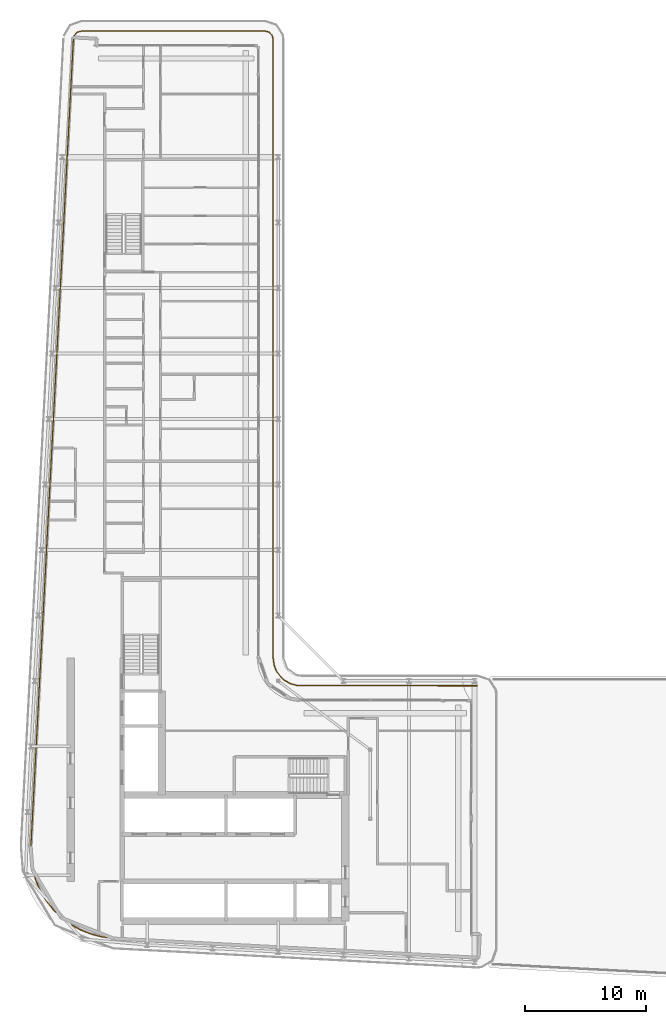
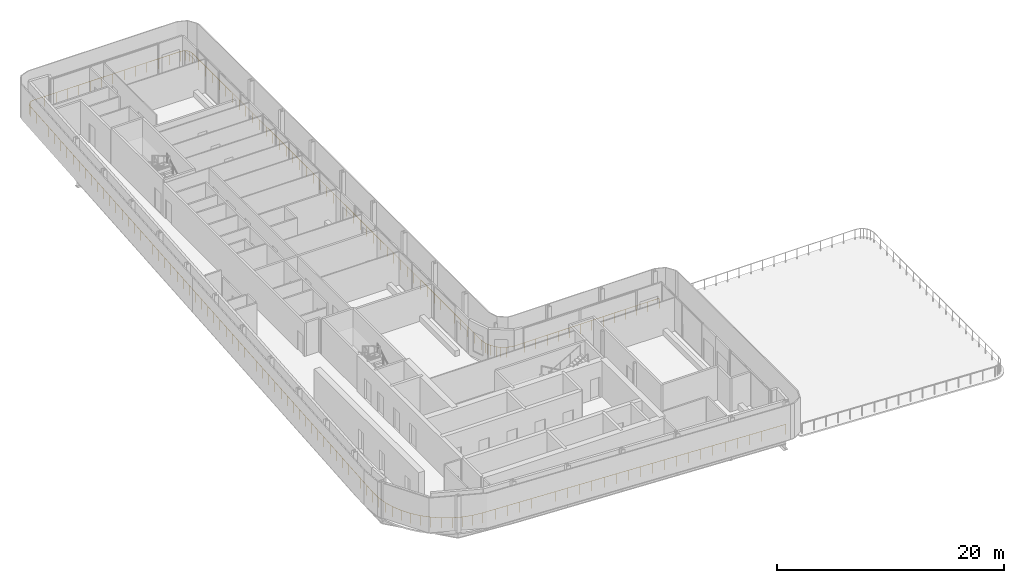
# One storey, part 19 of 22: 1 railing.
"""IFC4 building model written with IfcOpenShell, lengths in metres."""

from ifc_helpers import new_model, si_unit, direction, frame, origin, origin_2d, place, context, subcontext, project, spatial, circle, extrude, material, type_object, element, save


model = new_model("IFC4")

# Units and contexts
model_context = context("Model", 3, precision=1e-05, world=origin(), true_north=direction((0.0, 1.0)))
body_context = subcontext(model_context, "Body", "Model", "MODEL_VIEW")
ifc_project = project(units=[si_unit("LENGTHUNIT", "METRE"), si_unit("AREAUNIT", "SQUARE_METRE"), si_unit("VOLUMEUNIT", "CUBIC_METRE"), si_unit("PLANEANGLEUNIT", "RADIAN"), si_unit("MASSUNIT", "GRAM", prefix="KILO")], contexts=[model_context])

# Site, building, storey
site_placement = place(None, origin())
site = spatial("IfcSite", under=ifc_project, at=site_placement, CompositionType="ELEMENT")
building_placement = place(site_placement, origin())
building = spatial("IfcBuilding", under=site, at=building_placement, Name="Kheshtan School and Residences Tower", CompositionType="ELEMENT")
storey_placement = place(building_placement, frame((0.0, 0.0, 274.699951171875)))
storey = spatial("IfcBuildingStorey", under=building, at=storey_placement, Name="L64", CompositionType="ELEMENT", Elevation=274.699951171875)

# Railing
ifc_material = material(Name="Stainless steel balustrade", Category="steel")
railing_type = type_object("IfcRailingType", Name="Loggia guard 1100", PredefinedType="GUARDRAIL", material=ifc_material)
railing_placement = place(storey_placement, frame((63.986083984375, 22.802001953125, 0.0)))
element("IfcRailing", 1, at=railing_placement, inside=storey, type_object=railing_type, Name="Guard L64 1", PredefinedType="GUARDRAIL", context=body_context, shape_type="SweptSolid", body=[
    extrude(circle(Radius=0.02392578125, at=origin_2d()), frame((0.0, 0.0, 1.076171875), z_axis=(-0.998616591406, 0.052582348458, 0.0), x_axis=(-0.052582348458, -0.998616591406, 0.0)), (0.0, 0.0, 1.0), 29.970703125),
    extrude(circle(Radius=0.02392578125, at=origin_2d()), frame((-29.92919921875, 1.575927734375, 1.076171875), z_axis=(-0.993152326572, 0.116826607521, 0.0), x_axis=(-0.116826607521, -0.993152326572, 0.0)), (0.0, 0.0, 1.0), 0.967529296875),
    extrude(circle(Radius=0.02392578125, at=origin_2d()), frame((-30.89013671875, 1.68896484375, 1.076171875), z_axis=(-0.969142269941, 0.246502049918, 0.0), x_axis=(-0.246502049918, -0.969142269941, 0.0)), (0.0, 0.0, 1.0), 0.94091796875),
    extrude(circle(Radius=0.02392578125, at=origin_2d()), frame((-31.802001953125, 1.9208984375, 1.076171875), z_axis=(-0.928440955332, 0.371480002775, 0.0), x_axis=(-0.371480002775, -0.928440955332, 0.0)), (0.0, 0.0, 1.0), 0.9423828125),
    extrude(circle(Radius=0.02392578125, at=origin_2d()), frame((-32.677001953125, 2.27099609375, 1.076171875), z_axis=(-0.872673913379, 0.488303431187, 0.0), x_axis=(-0.488303431187, -0.872673913379, 0.0)), (0.0, 0.0, 1.0), 0.94189453125),
    extrude(circle(Radius=0.02392578125, at=origin_2d()), frame((-33.4990234375, 2.73095703125, 1.076171875), z_axis=(-0.801336596607, 0.598213723462, 0.0), x_axis=(-0.598213723462, -0.801336596607, 0.0)), (0.0, 0.0, 1.0), 0.941162109375),
    extrude(circle(Radius=0.02392578125, at=origin_2d()), frame((-34.253173828125, 3.2939453125, 1.076171875), z_axis=(-0.71600013962, 0.69810013613, 0.0), x_axis=(-0.69810013613, -0.71600013962, 0.0)), (0.0, 0.0, 1.0), 0.941162109375),
    extrude(circle(Radius=0.02392578125, at=origin_2d()), frame((-34.927001953125, 3.950927734375, 1.076171875), z_axis=(-0.618862535768, 0.785499307334, 0.0), x_axis=(-0.785499307334, -0.618862535768, 0.0)), (0.0, 0.0, 1.0), 0.942138671875),
    extrude(circle(Radius=0.02392578125, at=origin_2d()), frame((-35.510009765625, 4.69091796875, 1.076171875), z_axis=(-0.510214927824, 0.860046933269, 0.0), x_axis=(-0.860046933269, -0.510214927824, 0.0)), (0.0, 0.0, 1.0), 0.940673828125),
    extrude(circle(Radius=0.02392578125, at=origin_2d()), frame((-35.989990234375, 5.5, 1.076171875), z_axis=(-0.394763216191, 0.918782892278, 0.0), x_axis=(-0.918782892278, -0.394763216191, 0.0)), (0.0, 0.0, 1.0), 0.942626953125),
    extrude(circle(Radius=0.02392578125, at=origin_2d()), frame((-36.362060546875, 6.365966796875, 1.076171875), z_axis=(-0.272014427065, 0.962293173346, 0.0), x_axis=(-0.962293173346, -0.272014427065, 0.0)), (0.0, 0.0, 1.0), 0.94140625),
    extrude(circle(Radius=0.02392578125, at=origin_2d()), frame((-36.6181640625, 7.27197265625, 1.076171875), z_axis=(-0.143344445165, 0.989672860111, 0.0), x_axis=(-0.989672860111, -0.143344445165, 0.0)), (0.0, 0.0, 1.0), 0.94189453125),
    extrude(circle(Radius=0.02392578125, at=origin_2d()), frame((-36.753173828125, 8.2041015625, 1.076171875), z_axis=(-0.013382639841, 0.999910448466, 0.0), x_axis=(-0.999910448466, -0.013382639841, 0.0)), (0.0, 0.0, 1.0), 0.966796875),
    extrude(circle(Radius=0.02392578125, at=origin_2d()), frame((-36.76611328125, 9.1708984375, 1.076171875), z_axis=(0.052559602407, 0.998617788844, 0.0), x_axis=(-0.998617788844, 0.052559602407, 0.0)), (0.0, 0.0, 1.0), 66.628173828125),
    extrude(circle(Radius=0.02392578125, at=origin_2d()), frame((-33.26416015625, 75.70703125, 1.076171875), z_axis=(0.248188744775, 0.968711694451, 0.0), x_axis=(-0.968711694451, 0.248188744775, 0.0)), (0.0, 0.0, 1.0), 0.314697265625),
    extrude(circle(Radius=0.02392578125, at=origin_2d()), frame((-33.18603515625, 76.011962890625, 1.076171875), z_axis=(0.67452876676, 0.738248564383, 0.0), x_axis=(-0.738248564383, 0.67452876676, 0.0)), (0.0, 0.0, 1.0), 0.37939453125),
    extrude(circle(Radius=0.02392578125, at=origin_2d()), frame((-32.93017578125, 76.2919921875, 1.076171875), z_axis=(0.965696588832, 0.259673060442, 0.0), x_axis=(-0.259673060442, 0.965696588832, 0.0)), (0.0, 0.0, 1.0), 0.407958984375),
    extrude(circle(Radius=0.02392578125, at=origin_2d()), frame((-32.5361328125, 76.39794921875, 1.076171875), z_axis=(1.0, 0.0, 0.0), x_axis=(0.0, 1.0, 0.0)), (0.0, 0.0, 1.0), 15.02294921875),
    extrude(circle(Radius=0.02392578125, at=origin_2d()), frame((-17.51318359375, 76.39794921875, 1.076171875), z_axis=(0.969584789188, -0.244755667095, 0.0), x_axis=(0.244755667095, 0.969584789188, 0.0)), (0.0, 0.0, 1.0), 0.387939453125),
    extrude(circle(Radius=0.02392578125, at=origin_2d()), frame((-17.136962890625, 76.302978515625, 1.076171875), z_axis=(0.707106781187, -0.707106781187, 0.0), x_axis=(0.707106781187, 0.707106781187, 0.0)), (0.0, 0.0, 1.0), 0.36181640625),
    extrude(circle(Radius=0.02392578125, at=origin_2d()), frame((-16.881103515625, 76.047119140625, 1.076171875), z_axis=(0.244755667095, -0.969584789188, 0.0), x_axis=(0.969584789188, 0.244755667095, 0.0)), (0.0, 0.0, 1.0), 0.387939453125),
    extrude(circle(Radius=0.02392578125, at=origin_2d()), frame((-16.7861328125, 75.6708984375, 1.076171875), z_axis=(0.0, -1.0, 0.0), x_axis=(1.0, 0.0, 0.0)), (0.0, 0.0, 1.0), 51.0),
    extrude(circle(Radius=0.02392578125, at=origin_2d()), frame((-16.7861328125, 24.6708984375, 1.076171875), z_axis=(0.132526573418, -0.991179452641, 0.0), x_axis=(0.991179452641, 0.132526573418, 0.0)), (0.0, 0.0, 1.0), 0.572998046875),
    extrude(circle(Radius=0.02392578125, at=origin_2d()), frame((-16.710205078125, 24.10302734375, 1.076171875), z_axis=(0.321555091305, -0.946890871883, 0.0), x_axis=(0.946890871883, 0.321555091305, 0.0)), (0.0, 0.0, 1.0), 0.30224609375),
    extrude(circle(Radius=0.02392578125, at=origin_2d()), frame((-16.613037109375, 23.81689453125, 1.076171875), z_axis=(0.444942866455, -0.895558957072, 0.0), x_axis=(0.895558957072, 0.444942866455, 0.0)), (0.0, 0.0, 1.0), 0.30126953125),
    extrude(circle(Radius=0.02392578125, at=origin_2d()), frame((-16.47900390625, 23.547119140625, 1.076171875), z_axis=(0.607646215611, -0.794207829635, 0.0), x_axis=(0.794207829635, 0.607646215611, 0.0)), (0.0, 0.0, 1.0), 0.6005859375),
    extrude(circle(Radius=0.02392578125, at=origin_2d()), frame((-16.114013671875, 23.070068359375, 1.076171875), z_axis=(0.753475519903, -0.657475962228, 0.0), x_axis=(0.657475962228, 0.753475519903, 0.0)), (0.0, 0.0, 1.0), 0.302734375),
    extrude(circle(Radius=0.02392578125, at=origin_2d()), frame((-15.885986328125, 22.87109375, 1.076171875), z_axis=(0.865649320413, -0.500650830488, 0.0), x_axis=(0.500650830488, 0.865649320413, 0.0)), (0.0, 0.0, 1.0), 0.599365234375),
    extrude(circle(Radius=0.02392578125, at=origin_2d()), frame((-15.3671875, 22.571044921875, 1.076171875), z_axis=(0.966093072259, -0.258194066029, 0.0), x_axis=(0.258194066029, 0.966093072259, 0.0)), (0.0, 0.0, 1.0), 0.600341796875),
    extrude(circle(Radius=0.02392578125, at=origin_2d()), frame((-14.787109375, 22.416015625, 1.076171875), z_axis=(0.999999257351, -0.001218727994, 0.0), x_axis=(0.001218727994, 0.999999257351, 0.0)), (0.0, 0.0, 1.0), 14.823974609375),
    extrude(circle(Radius=0.02099609375, at=origin_2d()), origin(), (0.0, 0.0, 1.0), 1.052001953125),
    extrude(circle(Radius=0.02099609375, at=origin_2d()), frame((-1.197265625, 0.06298828125, 0.0)), (0.0, 0.0, 1.0), 1.052001953125),
    extrude(circle(Radius=0.02099609375, at=origin_2d()), frame((-2.394287109375, 0.1259765625, 0.0)), (0.0, 0.0, 1.0), 1.052001953125),
    extrude(circle(Radius=0.02099609375, at=origin_2d()), frame((-3.591552734375, 0.189208984375, 0.0)), (0.0, 0.0, 1.0), 1.052001953125),
    extrude(circle(Radius=0.02099609375, at=origin_2d()), frame((-4.78857421875, 0.252197265625, 0.0)), (0.0, 0.0, 1.0), 1.052001953125),
    extrude(circle(Radius=0.02099609375, at=origin_2d()), frame((-5.98583984375, 0.315185546875, 0.0)), (0.0, 0.0, 1.0), 1.052001953125),
    extrude(circle(Radius=0.02099609375, at=origin_2d()), frame((-7.18310546875, 0.378173828125, 0.0)), (0.0, 0.0, 1.0), 1.052001953125),
    extrude(circle(Radius=0.02099609375, at=origin_2d()), frame((-8.380126953125, 0.441162109375, 0.0)), (0.0, 0.0, 1.0), 1.052001953125),
    extrude(circle(Radius=0.02099609375, at=origin_2d()), frame((-9.577392578125, 0.50439453125, 0.0)), (0.0, 0.0, 1.0), 1.052001953125),
    extrude(circle(Radius=0.02099609375, at=origin_2d()), frame((-10.7744140625, 0.5673828125, 0.0)), (0.0, 0.0, 1.0), 1.052001953125),
    extrude(circle(Radius=0.02099609375, at=origin_2d()), frame((-11.9716796875, 0.63037109375, 0.0)), (0.0, 0.0, 1.0), 1.052001953125),
    extrude(circle(Radius=0.02099609375, at=origin_2d()), frame((-13.1689453125, 0.693359375, 0.0)), (0.0, 0.0, 1.0), 1.052001953125),
    extrude(circle(Radius=0.02099609375, at=origin_2d()), frame((-14.365966796875, 0.75634765625, 0.0)), (0.0, 0.0, 1.0), 1.052001953125),
    extrude(circle(Radius=0.02099609375, at=origin_2d()), frame((-15.563232421875, 0.819580078125, 0.0)), (0.0, 0.0, 1.0), 1.052001953125),
    extrude(circle(Radius=0.02099609375, at=origin_2d()), frame((-16.76025390625, 0.882568359375, 0.0)), (0.0, 0.0, 1.0), 1.052001953125),
    extrude(circle(Radius=0.02099609375, at=origin_2d()), frame((-17.95751953125, 0.945556640625, 0.0)), (0.0, 0.0, 1.0), 1.052001953125),
    extrude(circle(Radius=0.02099609375, at=origin_2d()), frame((-19.15478515625, 1.008544921875, 0.0)), (0.0, 0.0, 1.0), 1.052001953125),
    extrude(circle(Radius=0.02099609375, at=origin_2d()), frame((-20.351806640625, 1.071533203125, 0.0)), (0.0, 0.0, 1.0), 1.052001953125),
    extrude(circle(Radius=0.02099609375, at=origin_2d()), frame((-21.549072265625, 1.134765625, 0.0)), (0.0, 0.0, 1.0), 1.052001953125),
    extrude(circle(Radius=0.02099609375, at=origin_2d()), frame((-22.74609375, 1.19775390625, 0.0)), (0.0, 0.0, 1.0), 1.052001953125),
    extrude(circle(Radius=0.02099609375, at=origin_2d()), frame((-23.943359375, 1.2607421875, 0.0)), (0.0, 0.0, 1.0), 1.052001953125),
    extrude(circle(Radius=0.02099609375, at=origin_2d()), frame((-25.140625, 1.32373046875, 0.0)), (0.0, 0.0, 1.0), 1.052001953125),
    extrude(circle(Radius=0.02099609375, at=origin_2d()), frame((-26.337646484375, 1.38671875, 0.0)), (0.0, 0.0, 1.0), 1.052001953125),
    extrude(circle(Radius=0.02099609375, at=origin_2d()), frame((-27.534912109375, 1.449951171875, 0.0)), (0.0, 0.0, 1.0), 1.052001953125),
    extrude(circle(Radius=0.02099609375, at=origin_2d()), frame((-28.73193359375, 1.512939453125, 0.0)), (0.0, 0.0, 1.0), 1.052001953125),
    extrude(circle(Radius=0.02099609375, at=origin_2d()), frame((-29.92919921875, 1.575927734375, 0.0)), (0.0, 0.0, 1.0), 1.052001953125),
    extrude(circle(Radius=0.02099609375, at=origin_2d()), frame((-30.89013671875, 1.68896484375, 0.0)), (0.0, 0.0, 1.0), 1.052001953125),
    extrude(circle(Radius=0.02099609375, at=origin_2d()), frame((-31.802001953125, 1.9208984375, 0.0)), (0.0, 0.0, 1.0), 1.052001953125),
    extrude(circle(Radius=0.02099609375, at=origin_2d()), frame((-32.677001953125, 2.27099609375, 0.0)), (0.0, 0.0, 1.0), 1.052001953125),
    extrude(circle(Radius=0.02099609375, at=origin_2d()), frame((-33.4990234375, 2.73095703125, 0.0)), (0.0, 0.0, 1.0), 1.052001953125),
    extrude(circle(Radius=0.02099609375, at=origin_2d()), frame((-34.253173828125, 3.2939453125, 0.0)), (0.0, 0.0, 1.0), 1.052001953125),
    extrude(circle(Radius=0.02099609375, at=origin_2d()), frame((-34.927001953125, 3.950927734375, 0.0)), (0.0, 0.0, 1.0), 1.052001953125),
    extrude(circle(Radius=0.02099609375, at=origin_2d()), frame((-35.510009765625, 4.69091796875, 0.0)), (0.0, 0.0, 1.0), 1.052001953125),
    extrude(circle(Radius=0.02099609375, at=origin_2d()), frame((-35.989990234375, 5.5, 0.0)), (0.0, 0.0, 1.0), 1.052001953125),
    extrude(circle(Radius=0.02099609375, at=origin_2d()), frame((-36.362060546875, 6.365966796875, 0.0)), (0.0, 0.0, 1.0), 1.052001953125),
    extrude(circle(Radius=0.02099609375, at=origin_2d()), frame((-36.6181640625, 7.27197265625, 0.0)), (0.0, 0.0, 1.0), 1.052001953125),
    extrude(circle(Radius=0.02099609375, at=origin_2d()), frame((-36.753173828125, 8.2041015625, 0.0)), (0.0, 0.0, 1.0), 1.052001953125),
    extrude(circle(Radius=0.02099609375, at=origin_2d()), frame((-36.76611328125, 9.1708984375, 0.0)), (0.0, 0.0, 1.0), 1.052001953125),
    extrude(circle(Radius=0.02099609375, at=origin_2d()), frame((-36.70361328125, 10.359130859375, 0.0)), (0.0, 0.0, 1.0), 1.052001953125),
    extrude(circle(Radius=0.02099609375, at=origin_2d()), frame((-36.64111328125, 11.547119140625, 0.0)), (0.0, 0.0, 1.0), 1.052001953125),
    extrude(circle(Radius=0.02099609375, at=origin_2d()), frame((-36.57861328125, 12.7353515625, 0.0)), (0.0, 0.0, 1.0), 1.052001953125),
    extrude(circle(Radius=0.02099609375, at=origin_2d()), frame((-36.515869140625, 13.923583984375, 0.0)), (0.0, 0.0, 1.0), 1.052001953125),
    extrude(circle(Radius=0.02099609375, at=origin_2d()), frame((-36.453369140625, 15.111572265625, 0.0)), (0.0, 0.0, 1.0), 1.052001953125),
    extrude(circle(Radius=0.02099609375, at=origin_2d()), frame((-36.390869140625, 16.2998046875, 0.0)), (0.0, 0.0, 1.0), 1.052001953125),
    extrude(circle(Radius=0.02099609375, at=origin_2d()), frame((-36.328369140625, 17.48779296875, 0.0)), (0.0, 0.0, 1.0), 1.052001953125),
    extrude(circle(Radius=0.02099609375, at=origin_2d()), frame((-36.265869140625, 18.676025390625, 0.0)), (0.0, 0.0, 1.0), 1.052001953125),
    extrude(circle(Radius=0.02099609375, at=origin_2d()), frame((-36.203369140625, 19.8642578125, 0.0)), (0.0, 0.0, 1.0), 1.052001953125),
    extrude(circle(Radius=0.02099609375, at=origin_2d()), frame((-36.140869140625, 21.05224609375, 0.0)), (0.0, 0.0, 1.0), 1.052001953125),
    extrude(circle(Radius=0.02099609375, at=origin_2d()), frame((-36.078125, 22.240478515625, 0.0)), (0.0, 0.0, 1.0), 1.052001953125),
    extrude(circle(Radius=0.02099609375, at=origin_2d()), frame((-36.015625, 23.4287109375, 0.0)), (0.0, 0.0, 1.0), 1.052001953125),
    extrude(circle(Radius=0.02099609375, at=origin_2d()), frame((-35.953125, 24.61669921875, 0.0)), (0.0, 0.0, 1.0), 1.052001953125),
    extrude(circle(Radius=0.02099609375, at=origin_2d()), frame((-35.890625, 25.804931640625, 0.0)), (0.0, 0.0, 1.0), 1.052001953125),
    extrude(circle(Radius=0.02099609375, at=origin_2d()), frame((-35.828125, 26.9931640625, 0.0)), (0.0, 0.0, 1.0), 1.052001953125),
    extrude(circle(Radius=0.02099609375, at=origin_2d()), frame((-35.765625, 28.18115234375, 0.0)), (0.0, 0.0, 1.0), 1.052001953125),
    extrude(circle(Radius=0.02099609375, at=origin_2d()), frame((-35.703125, 29.369384765625, 0.0)), (0.0, 0.0, 1.0), 1.052001953125),
    extrude(circle(Radius=0.02099609375, at=origin_2d()), frame((-35.640380859375, 30.5576171875, 0.0)), (0.0, 0.0, 1.0), 1.052001953125),
    extrude(circle(Radius=0.02099609375, at=origin_2d()), frame((-35.577880859375, 31.74560546875, 0.0)), (0.0, 0.0, 1.0), 1.052001953125),
    extrude(circle(Radius=0.02099609375, at=origin_2d()), frame((-35.515380859375, 32.933837890625, 0.0)), (0.0, 0.0, 1.0), 1.052001953125),
    extrude(circle(Radius=0.02099609375, at=origin_2d()), frame((-35.452880859375, 34.1220703125, 0.0)), (0.0, 0.0, 1.0), 1.052001953125),
    extrude(circle(Radius=0.02099609375, at=origin_2d()), frame((-35.390380859375, 35.31005859375, 0.0)), (0.0, 0.0, 1.0), 1.052001953125),
    extrude(circle(Radius=0.02099609375, at=origin_2d()), frame((-35.327880859375, 36.498291015625, 0.0)), (0.0, 0.0, 1.0), 1.052001953125),
    extrude(circle(Radius=0.02099609375, at=origin_2d()), frame((-35.265380859375, 37.686279296875, 0.0)), (0.0, 0.0, 1.0), 1.052001953125),
    extrude(circle(Radius=0.02099609375, at=origin_2d()), frame((-35.20263671875, 38.87451171875, 0.0)), (0.0, 0.0, 1.0), 1.052001953125),
    extrude(circle(Radius=0.02099609375, at=origin_2d()), frame((-35.14013671875, 40.062744140625, 0.0)), (0.0, 0.0, 1.0), 1.052001953125),
    extrude(circle(Radius=0.02099609375, at=origin_2d()), frame((-35.07763671875, 41.250732421875, 0.0)), (0.0, 0.0, 1.0), 1.052001953125),
    extrude(circle(Radius=0.02099609375, at=origin_2d()), frame((-35.01513671875, 42.43896484375, 0.0)), (0.0, 0.0, 1.0), 1.052001953125),
    extrude(circle(Radius=0.02099609375, at=origin_2d()), frame((-34.95263671875, 43.627197265625, 0.0)), (0.0, 0.0, 1.0), 1.052001953125),
    extrude(circle(Radius=0.02099609375, at=origin_2d()), frame((-34.89013671875, 44.815185546875, 0.0)), (0.0, 0.0, 1.0), 1.052001953125),
    extrude(circle(Radius=0.02099609375, at=origin_2d()), frame((-34.82763671875, 46.00341796875, 0.0)), (0.0, 0.0, 1.0), 1.052001953125),
    extrude(circle(Radius=0.02099609375, at=origin_2d()), frame((-34.764892578125, 47.191650390625, 0.0)), (0.0, 0.0, 1.0), 1.052001953125),
    extrude(circle(Radius=0.02099609375, at=origin_2d()), frame((-34.702392578125, 48.379638671875, 0.0)), (0.0, 0.0, 1.0), 1.052001953125),
    extrude(circle(Radius=0.02099609375, at=origin_2d()), frame((-34.639892578125, 49.56787109375, 0.0)), (0.0, 0.0, 1.0), 1.052001953125),
    extrude(circle(Radius=0.02099609375, at=origin_2d()), frame((-34.577392578125, 50.755859375, 0.0)), (0.0, 0.0, 1.0), 1.052001953125),
    extrude(circle(Radius=0.02099609375, at=origin_2d()), frame((-34.514892578125, 51.944091796875, 0.0)), (0.0, 0.0, 1.0), 1.052001953125),
    extrude(circle(Radius=0.02099609375, at=origin_2d()), frame((-34.452392578125, 53.13232421875, 0.0)), (0.0, 0.0, 1.0), 1.052001953125),
    extrude(circle(Radius=0.02099609375, at=origin_2d()), frame((-34.389892578125, 54.3203125, 0.0)), (0.0, 0.0, 1.0), 1.052001953125),
    extrude(circle(Radius=0.02099609375, at=origin_2d()), frame((-34.3271484375, 55.508544921875, 0.0)), (0.0, 0.0, 1.0), 1.052001953125),
    extrude(circle(Radius=0.02099609375, at=origin_2d()), frame((-34.2646484375, 56.69677734375, 0.0)), (0.0, 0.0, 1.0), 1.052001953125),
    extrude(circle(Radius=0.02099609375, at=origin_2d()), frame((-34.2021484375, 57.884765625, 0.0)), (0.0, 0.0, 1.0), 1.052001953125),
    extrude(circle(Radius=0.02099609375, at=origin_2d()), frame((-34.1396484375, 59.072998046875, 0.0)), (0.0, 0.0, 1.0), 1.052001953125),
    extrude(circle(Radius=0.02099609375, at=origin_2d()), frame((-34.0771484375, 60.26123046875, 0.0)), (0.0, 0.0, 1.0), 1.052001953125),
    extrude(circle(Radius=0.02099609375, at=origin_2d()), frame((-34.0146484375, 61.44921875, 0.0)), (0.0, 0.0, 1.0), 1.052001953125),
    extrude(circle(Radius=0.02099609375, at=origin_2d()), frame((-33.9521484375, 62.637451171875, 0.0)), (0.0, 0.0, 1.0), 1.052001953125),
    extrude(circle(Radius=0.02099609375, at=origin_2d()), frame((-33.889404296875, 63.82568359375, 0.0)), (0.0, 0.0, 1.0), 1.052001953125),
    extrude(circle(Radius=0.02099609375, at=origin_2d()), frame((-33.826904296875, 65.013671875, 0.0)), (0.0, 0.0, 1.0), 1.052001953125),
    extrude(circle(Radius=0.02099609375, at=origin_2d()), frame((-33.764404296875, 66.201904296875, 0.0)), (0.0, 0.0, 1.0), 1.052001953125),
    extrude(circle(Radius=0.02099609375, at=origin_2d()), frame((-33.701904296875, 67.39013671875, 0.0)), (0.0, 0.0, 1.0), 1.052001953125),
    extrude(circle(Radius=0.02099609375, at=origin_2d()), frame((-33.639404296875, 68.578125, 0.0)), (0.0, 0.0, 1.0), 1.052001953125),
    extrude(circle(Radius=0.02099609375, at=origin_2d()), frame((-33.576904296875, 69.766357421875, 0.0)), (0.0, 0.0, 1.0), 1.052001953125),
    extrude(circle(Radius=0.02099609375, at=origin_2d()), frame((-33.514404296875, 70.954345703125, 0.0)), (0.0, 0.0, 1.0), 1.052001953125),
    extrude(circle(Radius=0.02099609375, at=origin_2d()), frame((-33.45166015625, 72.142578125, 0.0)), (0.0, 0.0, 1.0), 1.052001953125),
    extrude(circle(Radius=0.02099609375, at=origin_2d()), frame((-33.38916015625, 73.330810546875, 0.0)), (0.0, 0.0, 1.0), 1.052001953125),
    extrude(circle(Radius=0.02099609375, at=origin_2d()), frame((-33.32666015625, 74.518798828125, 0.0)), (0.0, 0.0, 1.0), 1.052001953125),
    extrude(circle(Radius=0.02099609375, at=origin_2d()), frame((-33.26416015625, 75.70703125, 0.0)), (0.0, 0.0, 1.0), 1.052001953125),
    extrude(circle(Radius=0.02099609375, at=origin_2d()), frame((-33.18603515625, 76.011962890625, 0.0)), (0.0, 0.0, 1.0), 1.052001953125),
    extrude(circle(Radius=0.02099609375, at=origin_2d()), frame((-32.93017578125, 76.2919921875, 0.0)), (0.0, 0.0, 1.0), 1.052001953125),
    extrude(circle(Radius=0.02099609375, at=origin_2d()), frame((-32.5361328125, 76.39794921875, 0.0)), (0.0, 0.0, 1.0), 1.052001953125),
    extrude(circle(Radius=0.02099609375, at=origin_2d()), frame((-31.380615234375, 76.39794921875, 0.0)), (0.0, 0.0, 1.0), 1.052001953125),
    extrude(circle(Radius=0.02099609375, at=origin_2d()), frame((-30.224853515625, 76.39794921875, 0.0)), (0.0, 0.0, 1.0), 1.052001953125),
    extrude(circle(Radius=0.02099609375, at=origin_2d()), frame((-29.0693359375, 76.39794921875, 0.0)), (0.0, 0.0, 1.0), 1.052001953125),
    extrude(circle(Radius=0.02099609375, at=origin_2d()), frame((-27.91357421875, 76.39794921875, 0.0)), (0.0, 0.0, 1.0), 1.052001953125),
    extrude(circle(Radius=0.02099609375, at=origin_2d()), frame((-26.758056640625, 76.39794921875, 0.0)), (0.0, 0.0, 1.0), 1.052001953125),
    extrude(circle(Radius=0.02099609375, at=origin_2d()), frame((-25.6025390625, 76.39794921875, 0.0)), (0.0, 0.0, 1.0), 1.052001953125),
    extrude(circle(Radius=0.02099609375, at=origin_2d()), frame((-24.44677734375, 76.39794921875, 0.0)), (0.0, 0.0, 1.0), 1.052001953125),
    extrude(circle(Radius=0.02099609375, at=origin_2d()), frame((-23.291259765625, 76.39794921875, 0.0)), (0.0, 0.0, 1.0), 1.052001953125),
    extrude(circle(Radius=0.02099609375, at=origin_2d()), frame((-22.1357421875, 76.39794921875, 0.0)), (0.0, 0.0, 1.0), 1.052001953125),
    extrude(circle(Radius=0.02099609375, at=origin_2d()), frame((-20.97998046875, 76.39794921875, 0.0)), (0.0, 0.0, 1.0), 1.052001953125),
    extrude(circle(Radius=0.02099609375, at=origin_2d()), frame((-19.824462890625, 76.39794921875, 0.0)), (0.0, 0.0, 1.0), 1.052001953125),
    extrude(circle(Radius=0.02099609375, at=origin_2d()), frame((-18.668701171875, 76.39794921875, 0.0)), (0.0, 0.0, 1.0), 1.052001953125),
    extrude(circle(Radius=0.02099609375, at=origin_2d()), frame((-17.51318359375, 76.39794921875, 0.0)), (0.0, 0.0, 1.0), 1.052001953125),
    extrude(circle(Radius=0.02099609375, at=origin_2d()), frame((-17.136962890625, 76.302978515625, 0.0)), (0.0, 0.0, 1.0), 1.052001953125),
    extrude(circle(Radius=0.02099609375, at=origin_2d()), frame((-16.881103515625, 76.047119140625, 0.0)), (0.0, 0.0, 1.0), 1.052001953125),
    extrude(circle(Radius=0.02099609375, at=origin_2d()), frame((-16.7861328125, 75.6708984375, 0.0)), (0.0, 0.0, 1.0), 1.052001953125),
    extrude(circle(Radius=0.02099609375, at=origin_2d()), frame((-16.7861328125, 74.48486328125, 0.0)), (0.0, 0.0, 1.0), 1.052001953125),
    extrude(circle(Radius=0.02099609375, at=origin_2d()), frame((-16.7861328125, 73.298828125, 0.0)), (0.0, 0.0, 1.0), 1.052001953125),
    extrude(circle(Radius=0.02099609375, at=origin_2d()), frame((-16.7861328125, 72.11279296875, 0.0)), (0.0, 0.0, 1.0), 1.052001953125),
    extrude(circle(Radius=0.02099609375, at=origin_2d()), frame((-16.7861328125, 70.9267578125, 0.0)), (0.0, 0.0, 1.0), 1.052001953125),
    extrude(circle(Radius=0.02099609375, at=origin_2d()), frame((-16.7861328125, 69.74072265625, 0.0)), (0.0, 0.0, 1.0), 1.052001953125),
    extrude(circle(Radius=0.02099609375, at=origin_2d()), frame((-16.7861328125, 68.5546875, 0.0)), (0.0, 0.0, 1.0), 1.052001953125),
    extrude(circle(Radius=0.02099609375, at=origin_2d()), frame((-16.7861328125, 67.36865234375, 0.0)), (0.0, 0.0, 1.0), 1.052001953125),
    extrude(circle(Radius=0.02099609375, at=origin_2d()), frame((-16.7861328125, 66.1826171875, 0.0)), (0.0, 0.0, 1.0), 1.052001953125),
    extrude(circle(Radius=0.02099609375, at=origin_2d()), frame((-16.7861328125, 64.99658203125, 0.0)), (0.0, 0.0, 1.0), 1.052001953125),
    extrude(circle(Radius=0.02099609375, at=origin_2d()), frame((-16.7861328125, 63.810546875, 0.0)), (0.0, 0.0, 1.0), 1.052001953125),
    extrude(circle(Radius=0.02099609375, at=origin_2d()), frame((-16.7861328125, 62.624267578125, 0.0)), (0.0, 0.0, 1.0), 1.052001953125),
    extrude(circle(Radius=0.02099609375, at=origin_2d()), frame((-16.7861328125, 61.438232421875, 0.0)), (0.0, 0.0, 1.0), 1.052001953125),
    extrude(circle(Radius=0.02099609375, at=origin_2d()), frame((-16.7861328125, 60.252197265625, 0.0)), (0.0, 0.0, 1.0), 1.052001953125),
    extrude(circle(Radius=0.02099609375, at=origin_2d()), frame((-16.7861328125, 59.066162109375, 0.0)), (0.0, 0.0, 1.0), 1.052001953125),
    extrude(circle(Radius=0.02099609375, at=origin_2d()), frame((-16.7861328125, 57.880126953125, 0.0)), (0.0, 0.0, 1.0), 1.052001953125),
    extrude(circle(Radius=0.02099609375, at=origin_2d()), frame((-16.7861328125, 56.694091796875, 0.0)), (0.0, 0.0, 1.0), 1.052001953125),
    extrude(circle(Radius=0.02099609375, at=origin_2d()), frame((-16.7861328125, 55.508056640625, 0.0)), (0.0, 0.0, 1.0), 1.052001953125),
    extrude(circle(Radius=0.02099609375, at=origin_2d()), frame((-16.7861328125, 54.322021484375, 0.0)), (0.0, 0.0, 1.0), 1.052001953125),
    extrude(circle(Radius=0.02099609375, at=origin_2d()), frame((-16.7861328125, 53.135986328125, 0.0)), (0.0, 0.0, 1.0), 1.052001953125),
    extrude(circle(Radius=0.02099609375, at=origin_2d()), frame((-16.7861328125, 51.949951171875, 0.0)), (0.0, 0.0, 1.0), 1.052001953125),
    extrude(circle(Radius=0.02099609375, at=origin_2d()), frame((-16.7861328125, 50.763916015625, 0.0)), (0.0, 0.0, 1.0), 1.052001953125),
    extrude(circle(Radius=0.02099609375, at=origin_2d()), frame((-16.7861328125, 49.577880859375, 0.0)), (0.0, 0.0, 1.0), 1.052001953125),
    extrude(circle(Radius=0.02099609375, at=origin_2d()), frame((-16.7861328125, 48.391845703125, 0.0)), (0.0, 0.0, 1.0), 1.052001953125),
    extrude(circle(Radius=0.02099609375, at=origin_2d()), frame((-16.7861328125, 47.205810546875, 0.0)), (0.0, 0.0, 1.0), 1.052001953125),
    extrude(circle(Radius=0.02099609375, at=origin_2d()), frame((-16.7861328125, 46.019775390625, 0.0)), (0.0, 0.0, 1.0), 1.052001953125),
    extrude(circle(Radius=0.02099609375, at=origin_2d()), frame((-16.7861328125, 44.833740234375, 0.0)), (0.0, 0.0, 1.0), 1.052001953125),
    extrude(circle(Radius=0.02099609375, at=origin_2d()), frame((-16.7861328125, 43.647705078125, 0.0)), (0.0, 0.0, 1.0), 1.052001953125),
    extrude(circle(Radius=0.02099609375, at=origin_2d()), frame((-16.7861328125, 42.461669921875, 0.0)), (0.0, 0.0, 1.0), 1.052001953125),
    extrude(circle(Radius=0.02099609375, at=origin_2d()), frame((-16.7861328125, 41.275634765625, 0.0)), (0.0, 0.0, 1.0), 1.052001953125),
    extrude(circle(Radius=0.02099609375, at=origin_2d()), frame((-16.7861328125, 40.089599609375, 0.0)), (0.0, 0.0, 1.0), 1.052001953125),
    extrude(circle(Radius=0.02099609375, at=origin_2d()), frame((-16.7861328125, 38.903564453125, 0.0)), (0.0, 0.0, 1.0), 1.052001953125),
    extrude(circle(Radius=0.02099609375, at=origin_2d()), frame((-16.7861328125, 37.717529296875, 0.0)), (0.0, 0.0, 1.0), 1.052001953125),
    extrude(circle(Radius=0.02099609375, at=origin_2d()), frame((-16.7861328125, 36.53125, 0.0)), (0.0, 0.0, 1.0), 1.052001953125),
    extrude(circle(Radius=0.02099609375, at=origin_2d()), frame((-16.7861328125, 35.34521484375, 0.0)), (0.0, 0.0, 1.0), 1.052001953125),
    extrude(circle(Radius=0.02099609375, at=origin_2d()), frame((-16.7861328125, 34.1591796875, 0.0)), (0.0, 0.0, 1.0), 1.052001953125),
    extrude(circle(Radius=0.02099609375, at=origin_2d()), frame((-16.7861328125, 32.97314453125, 0.0)), (0.0, 0.0, 1.0), 1.052001953125),
    extrude(circle(Radius=0.02099609375, at=origin_2d()), frame((-16.7861328125, 31.787109375, 0.0)), (0.0, 0.0, 1.0), 1.052001953125),
    extrude(circle(Radius=0.02099609375, at=origin_2d()), frame((-16.7861328125, 30.60107421875, 0.0)), (0.0, 0.0, 1.0), 1.052001953125),
    extrude(circle(Radius=0.02099609375, at=origin_2d()), frame((-16.7861328125, 29.4150390625, 0.0)), (0.0, 0.0, 1.0), 1.052001953125),
    extrude(circle(Radius=0.02099609375, at=origin_2d()), frame((-16.7861328125, 28.22900390625, 0.0)), (0.0, 0.0, 1.0), 1.052001953125),
    extrude(circle(Radius=0.02099609375, at=origin_2d()), frame((-16.7861328125, 27.04296875, 0.0)), (0.0, 0.0, 1.0), 1.052001953125),
    extrude(circle(Radius=0.02099609375, at=origin_2d()), frame((-16.7861328125, 25.85693359375, 0.0)), (0.0, 0.0, 1.0), 1.052001953125),
    extrude(circle(Radius=0.02099609375, at=origin_2d()), frame((-16.7861328125, 24.6708984375, 0.0)), (0.0, 0.0, 1.0), 1.052001953125),
    extrude(circle(Radius=0.02099609375, at=origin_2d()), frame((-16.710205078125, 24.10302734375, 0.0)), (0.0, 0.0, 1.0), 1.052001953125),
    extrude(circle(Radius=0.02099609375, at=origin_2d()), frame((-16.613037109375, 23.81689453125, 0.0)), (0.0, 0.0, 1.0), 1.052001953125),
    extrude(circle(Radius=0.02099609375, at=origin_2d()), frame((-16.47900390625, 23.547119140625, 0.0)), (0.0, 0.0, 1.0), 1.052001953125),
    extrude(circle(Radius=0.02099609375, at=origin_2d()), frame((-16.114013671875, 23.070068359375, 0.0)), (0.0, 0.0, 1.0), 1.052001953125),
    extrude(circle(Radius=0.02099609375, at=origin_2d()), frame((-15.885986328125, 22.87109375, 0.0)), (0.0, 0.0, 1.0), 1.052001953125),
    extrude(circle(Radius=0.02099609375, at=origin_2d()), frame((-15.3671875, 22.571044921875, 0.0)), (0.0, 0.0, 1.0), 1.052001953125),
    extrude(circle(Radius=0.02099609375, at=origin_2d()), frame((-14.787109375, 22.416015625, 0.0)), (0.0, 0.0, 1.0), 1.052001953125),
    extrude(circle(Radius=0.02099609375, at=origin_2d()), frame((-13.646728515625, 22.41455078125, 0.0)), (0.0, 0.0, 1.0), 1.052001953125),
    extrude(circle(Radius=0.02099609375, at=origin_2d()), frame((-12.506591796875, 22.413330078125, 0.0)), (0.0, 0.0, 1.0), 1.052001953125),
    extrude(circle(Radius=0.02099609375, at=origin_2d()), frame((-11.3662109375, 22.411865234375, 0.0)), (0.0, 0.0, 1.0), 1.052001953125),
    extrude(circle(Radius=0.02099609375, at=origin_2d()), frame((-10.225830078125, 22.410400390625, 0.0)), (0.0, 0.0, 1.0), 1.052001953125),
    extrude(circle(Radius=0.02099609375, at=origin_2d()), frame((-9.085693359375, 22.4091796875, 0.0)), (0.0, 0.0, 1.0), 1.052001953125),
    extrude(circle(Radius=0.02099609375, at=origin_2d()), frame((-7.9453125, 22.40771484375, 0.0)), (0.0, 0.0, 1.0), 1.052001953125),
    extrude(circle(Radius=0.02099609375, at=origin_2d()), frame((-6.804931640625, 22.40625, 0.0)), (0.0, 0.0, 1.0), 1.052001953125),
    extrude(circle(Radius=0.02099609375, at=origin_2d()), frame((-5.66455078125, 22.40478515625, 0.0)), (0.0, 0.0, 1.0), 1.052001953125),
    extrude(circle(Radius=0.02099609375, at=origin_2d()), frame((-4.5244140625, 22.403564453125, 0.0)), (0.0, 0.0, 1.0), 1.052001953125),
    extrude(circle(Radius=0.02099609375, at=origin_2d()), frame((-3.384033203125, 22.402099609375, 0.0)), (0.0, 0.0, 1.0), 1.052001953125),
    extrude(circle(Radius=0.02099609375, at=origin_2d()), frame((-2.24365234375, 22.400634765625, 0.0)), (0.0, 0.0, 1.0), 1.052001953125),
    extrude(circle(Radius=0.02099609375, at=origin_2d()), frame((-1.103515625, 22.3994140625, 0.0)), (0.0, 0.0, 1.0), 1.052001953125),
    extrude(circle(Radius=0.02099609375, at=origin_2d()), frame((0.036865234375, 22.39794921875, 0.0)), (0.0, 0.0, 1.0), 1.052001953125),
])

save(model, "model.ifc")
